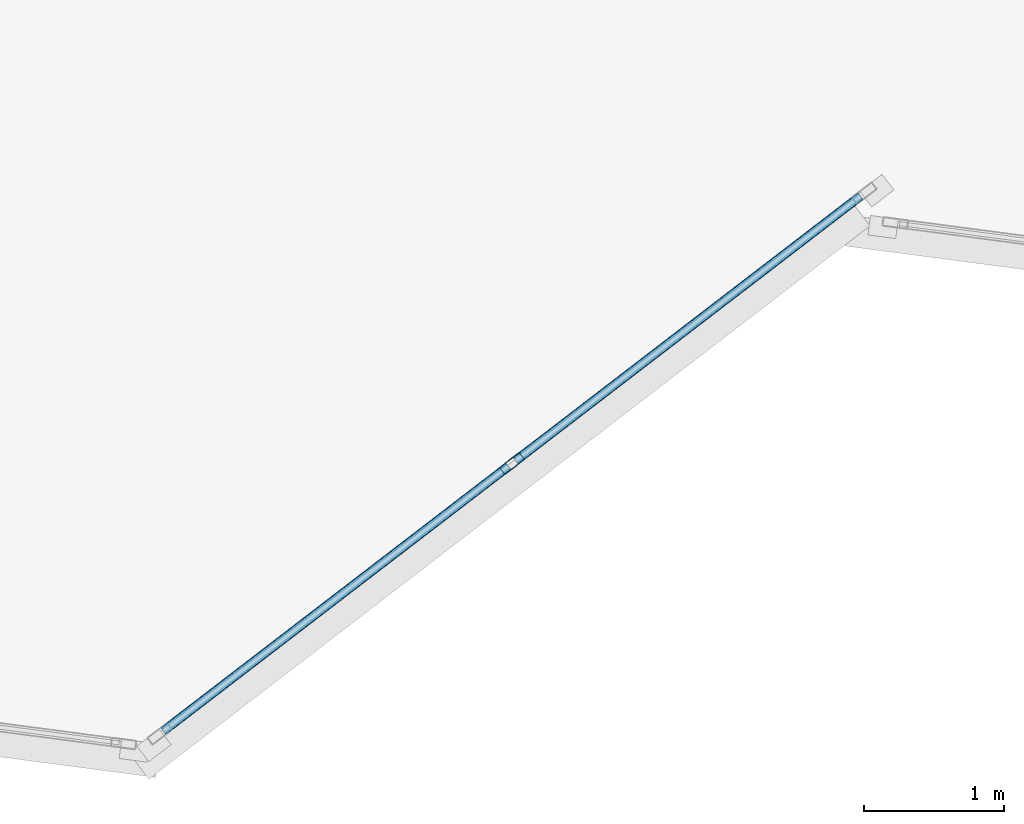
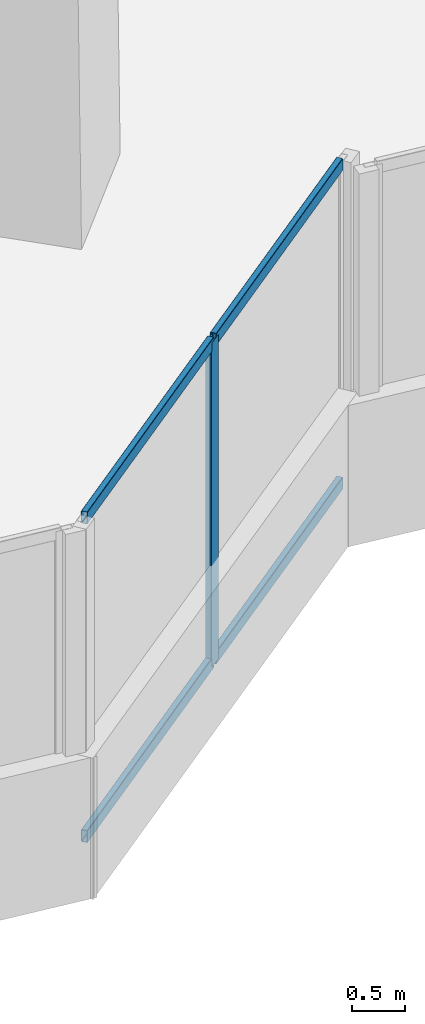
# One storey, part 6 of 24: 5 members, 1 element without a shape of its own.
"""IFC4 building model written with IfcOpenShell, lengths in metres."""

from ifc_helpers import new_model, si_unit, direction, frame, origin, origin_2d, place, context, subcontext, project, spatial, hollow_rectangle, extrude, source, transform, mapped, material, material_profile, profile_set, type_object, element, aggregate, save


model = new_model("IFC4")

# Units and contexts
model_context = context("Model", 3, precision=1e-05, world=origin(), true_north=direction((0.0, 1.0)))
body_context = subcontext(model_context, "Body", "Model", "MODEL_VIEW")
ifc_project = project(units=[si_unit("LENGTHUNIT", "METRE"), si_unit("AREAUNIT", "SQUARE_METRE"), si_unit("VOLUMEUNIT", "CUBIC_METRE"), si_unit("PLANEANGLEUNIT", "RADIAN"), si_unit("MASSUNIT", "GRAM", prefix="KILO")], contexts=[model_context])

# Site, building, storey
site_placement = place(None, origin())
site = spatial("IfcSite", under=ifc_project, at=site_placement, CompositionType="ELEMENT")
building_placement = place(site_placement, origin())
building = spatial("IfcBuilding", under=site, at=building_placement, Name="Torre Montelarca", CompositionType="ELEMENT")
storey_placement = place(building_placement, frame((0.0, 0.0, 66.39990234375)))
storey = spatial("IfcBuildingStorey", under=building, at=storey_placement, Name="L14", CompositionType="ELEMENT", Elevation=66.39990234375)

# Curtain wall, members
ifc_material_1 = material(Name="Insulated low-E laminated glass", Category="glass")
curtain_wall_type = type_object("IfcCurtainWallType", Name="CW-SYS-Z1", PredefinedType="USERDEFINED", material=ifc_material_1)
curtain_wall_placement = place(storey_placement, origin())
curtain_wall = element("IfcCurtainWall", 1, at=curtain_wall_placement, inside=storey, type_object=curtain_wall_type, Name="L14 Curtain Wall Run CW-T3-L14-E02-B1", ObjectType="UNITISED GLAZING", PredefinedType="USERDEFINED")
ifc_material_2 = material(Name="Anodised aluminium AA 6063-T6", Category="aluminium")
ifc_material_profile_1 = material_profile(ifc_material_2, hollow_rectangle(XDim=0.06494140625, YDim=0.139892578125, WallThickness=0.00390625, InnerFilletRadius=0.00390625, OuterFilletRadius=0.008056640625, at=origin_2d()), Name="ALU65X140X4", Category="aluminium")
ifc_profile_set_1 = profile_set([ifc_material_profile_1], Name="Anodised aluminium AA 6063-T6")
member_type_1 = type_object("IfcMemberType", Name="CWT-ALU140", PredefinedType="USERDEFINED", material=ifc_profile_set_1)
shared_shape_1 = source(origin(), body_context, "Body", "SweptSolid", [
    extrude(hollow_rectangle(XDim=0.06494140625, YDim=0.139892578125, WallThickness=0.00390625, InnerFilletRadius=0.00390625, OuterFilletRadius=0.008056640625, at=origin_2d()), origin(), (0.0, 0.0, 1.0), 3.102294921875),
])
member_1_placement = place(storey_placement, frame((32.548095703125, 14.704833984375, 0.03271484375), z_axis=(0.793331423579, 0.608789990359, 0.0), x_axis=(-0.608789990359, 0.793331423579, 0.0)))
member_1 = element("IfcMember", 2, at=member_1_placement, type_object=member_type_1, Name="CW transom 2.1", ObjectType="TRANSOM", PredefinedType="USERDEFINED", context=body_context, shape_type="MappedRepresentation", body=[
    mapped(shared_shape_1, transform((0.0, 0.0, 0.0), scale=1.0)),
])
member_2_placement = place(storey_placement, frame((32.548095703125, 14.704833984375, 3.6875), z_axis=(0.793331423579, 0.608789990359, 0.0), x_axis=(-0.608789990359, 0.793331423579, 0.0)))
member_2 = element("IfcMember", 3, at=member_2_placement, type_object=member_type_1, Name="CW transom 2.2", ObjectType="TRANSOM", PredefinedType="USERDEFINED", context=body_context, shape_type="MappedRepresentation", body=[
    mapped(shared_shape_1, transform((0.0, 0.0, 0.0), scale=1.0)),
])
shared_shape_2 = source(origin(), body_context, "Body", "SweptSolid", [
    extrude(hollow_rectangle(XDim=0.06494140625, YDim=0.139892578125, WallThickness=0.00390625, InnerFilletRadius=0.00390625, OuterFilletRadius=0.008056640625, at=origin_2d()), origin(), (0.0, 0.0, 1.0), 3.1025390625),
])
member_3_placement = place(storey_placement, frame((30.03515625, 12.776611328125, 0.03271484375), z_axis=(0.793360587465, 0.608751984192, 0.0), x_axis=(-0.608751984192, 0.793360587465, 0.0)))
member_3 = element("IfcMember", 4, at=member_3_placement, type_object=member_type_1, Name="CW transom 1.1", ObjectType="TRANSOM", PredefinedType="USERDEFINED", context=body_context, shape_type="MappedRepresentation", body=[
    mapped(shared_shape_2, transform((0.0, 0.0, 0.0), scale=1.0)),
])
member_4_placement = place(storey_placement, frame((30.03515625, 12.776611328125, 3.6875), z_axis=(0.793360587465, 0.608751984192, 0.0), x_axis=(-0.608751984192, 0.793360587465, 0.0)))
member_4 = element("IfcMember", 5, at=member_4_placement, type_object=member_type_1, Name="CW transom 1.2", ObjectType="TRANSOM", PredefinedType="USERDEFINED", context=body_context, shape_type="MappedRepresentation", body=[
    mapped(shared_shape_2, transform((0.0, 0.0, 0.0), scale=1.0)),
])
ifc_material_profile_2 = material_profile(ifc_material_2, hollow_rectangle(XDim=0.06494140625, YDim=0.179931640625, WallThickness=0.00390625, InnerFilletRadius=0.00390625, OuterFilletRadius=0.008056640625, at=origin_2d()), Name="ALU65X180X4", Category="aluminium")
ifc_profile_set_2 = profile_set([ifc_material_profile_2], Name="Anodised aluminium AA 6063-T6")
member_type_2 = type_object("IfcMemberType", Name="CWM-ALU180", PredefinedType="MULLION", material=ifc_profile_set_2)
shared_shape_3 = source(origin(), body_context, "Body", "SweptSolid", [
    extrude(hollow_rectangle(XDim=0.06494140625, YDim=0.179931640625, WallThickness=0.00390625, InnerFilletRadius=0.00390625, OuterFilletRadius=0.008056640625, at=origin_2d()), origin(), (0.0, 0.0, 1.0), 3.72021484375),
])
member_5_placement = place(storey_placement, frame((32.522216796875, 14.68505859375, 0.0), z_axis=(0.0, 0.0, 1.0), x_axis=(-0.608756578814, 0.793357061953, 0.0)))
member_5 = element("IfcMember", 6, at=member_5_placement, type_object=member_type_2, Name="CW mullion 2", PredefinedType="MULLION", context=body_context, shape_type="MappedRepresentation", body=[
    mapped(shared_shape_3, transform((0.0, 0.0, 0.0), scale=1.0)),
])
aggregate(curtain_wall, [member_5, member_3, member_4, member_1, member_2])

save(model, "model.ifc")
